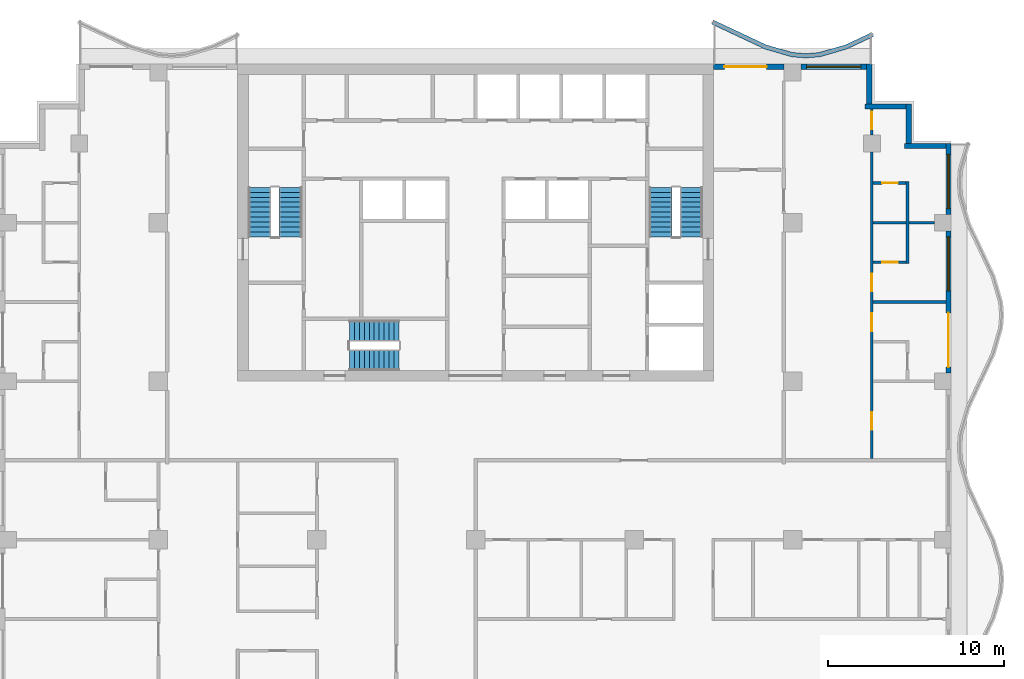
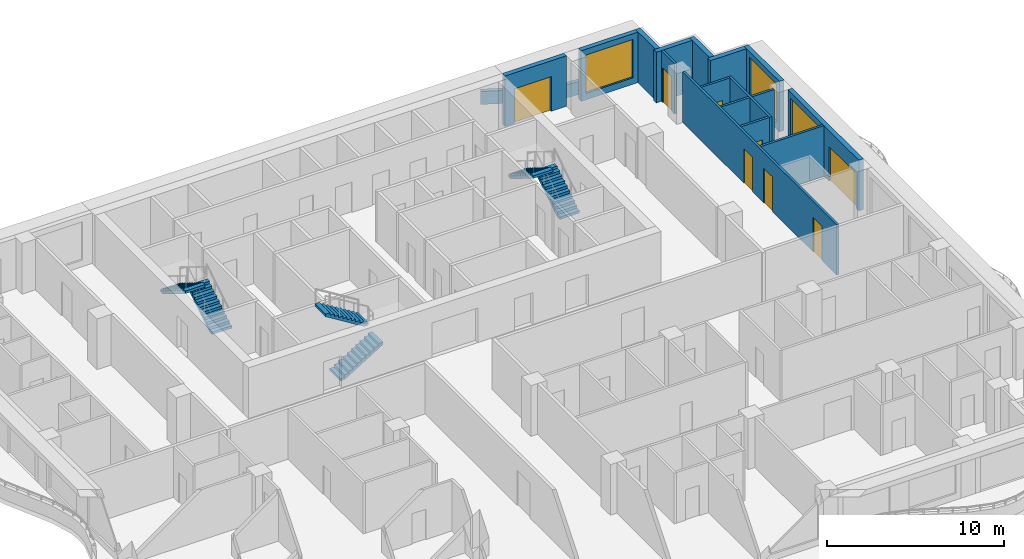
# One storey, part 7 of 11: 17 walls, 8 doors, 6 stair flights, 3 windows, 11 openings, 3 elements without a shape of their own.
"""IFC4 building model written with IfcOpenShell, lengths in metres."""

from ifc_helpers import new_model, si_unit, direction, frame, frame_2d, origin, place, context, subcontext, project, spatial, polyline, rectangle, outline, extrude, material, layer, layer_set, type_object, element, fill, aggregate, save


model = new_model("IFC4")

# Units and contexts
model_context = context("Model", 3, precision=1e-05, world=origin(), true_north=direction((0.0, 1.0)))
body_context = subcontext(model_context, "Body", "Model", "MODEL_VIEW")
ifc_project = project(units=[si_unit("LENGTHUNIT", "METRE"), si_unit("AREAUNIT", "SQUARE_METRE"), si_unit("VOLUMEUNIT", "CUBIC_METRE"), si_unit("PLANEANGLEUNIT", "RADIAN"), si_unit("MASSUNIT", "GRAM", prefix="KILO")], contexts=[model_context])

# Site, building, storey
site_placement = place(None, origin())
site = spatial("IfcSite", under=ifc_project, at=site_placement, CompositionType="ELEMENT")
building_placement = place(site_placement, origin())
building = spatial("IfcBuilding", under=site, at=building_placement, Name="Orbiselva Terraces", CompositionType="ELEMENT")
storey_placement = place(building_placement, frame((0.0, 0.0, 226.2)))
storey = spatial("IfcBuildingStorey", under=building, at=storey_placement, Name="L57", CompositionType="ELEMENT", Elevation=226.2)

# Wall
ifc_material_1 = material(Name="Concrete C40/50", Category="concrete")
ifc_layer_1 = layer(ifc_material_1, 0.25)
ifc_layer_set_1 = layer_set([ifc_layer_1], Name="Concrete C40/50")
wall_type_1 = type_object("IfcWallType", Name="ENV-PLANTER-250x900", PredefinedType="USERDEFINED", material=ifc_layer_set_1)
wall_1_placement = place(storey_placement, origin())
element("IfcWall", 1, at=wall_1_placement, inside=storey, type_object=wall_type_1, Name="Balcony planter L57 NE", ObjectType="PLANTER", PredefinedType="USERDEFINED", context=body_context, shape_type="SweptSolid", body=[
    extrude(outline(polyline([(22.5, 24.3), (21.0, 23.594658), (19.5, 23.158732), (18.75, 23.1), (18.0, 23.158732), (16.5, 23.594658), (15.0, 24.3), (13.5, 25.005342), (13.393617, 24.779106), (14.893617, 24.073764), (16.411382, 23.360069), (17.954886, 22.911499), (18.75, 22.849235), (19.545114, 22.911499), (21.088618, 23.360069), (22.606383, 24.073764), (22.5, 24.3)])), origin(), (0.0, 0.0, 1.0), 0.9),
])

# Wall, openings, door, window
ifc_material_2 = material(Name="Terracotta cladding on masonry backing", Category="masonry")
ifc_layer_2 = layer(ifc_material_2, 0.3)
ifc_layer_set_2 = layer_set([ifc_layer_2], Name="Terracotta cladding on masonry backing")
wall_type_2 = type_object("IfcWallType", Name="ENV-WALL-TERRACOTTA-300", PredefinedType="SOLIDWALL", material=ifc_layer_set_2)
wall_2_placement = place(storey_placement, frame((26.85, 13.025, 0.0), z_axis=(0.0, 0.0, 1.0), x_axis=(0.0, -1.0, 0.0)))
wall_2 = element("IfcWall", 2, at=wall_2_placement, inside=storey, type_object=wall_type_2, Name="Facade wall L57 E", PredefinedType="SOLIDWALL", context=body_context, shape_type="SweptSolid", body=[
    extrude(rectangle(XDim=8.05, YDim=0.3, at=frame_2d((4.025, 0.0))), origin(), (0.0, 0.0, 1.0), 3.5),
])
opening_1_placement = place(wall_2_placement, frame((4.65, 0.0, 0.0)))
opening_1 = element("IfcOpeningElement", 3, at=opening_1_placement, cuts=wall_2, Name="Opening Z4-E-E05", PredefinedType="OPENING", context=body_context, shape_type="SweptSolid", body=[
    extrude(rectangle(XDim=3.075, YDim=2.4, at=frame_2d((1.5375, 1.2))), frame((0.0, 0.16, 0.0), z_axis=(0.0, -1.0, 0.0), x_axis=(1.0, 0.0, 0.0)), (0.0, 0.0, 1.0), 0.32),
])
opening_2_placement = place(wall_2_placement, frame((0.325, 0.0, 0.45)))
opening_2 = element("IfcOpeningElement", 4, at=opening_2_placement, cuts=wall_2, Name="Opening WN15", PredefinedType="OPENING", context=body_context, shape_type="SweptSolid", body=[
    extrude(rectangle(XDim=3.075, YDim=2.65, at=frame_2d((1.5375, 1.325))), frame((0.0, 0.16, 0.0), z_axis=(0.0, -1.0, 0.0), x_axis=(1.0, 0.0, 0.0)), (0.0, 0.0, 1.0), 0.32),
])
ifc_material_3 = material(Name="Clear low-e glazing in aluminium frame", Category="aluminium")
door_type_1 = type_object("IfcDoorType", Name="BALCONY DOOR 3075 X 2400", OperationType="DOUBLE_DOOR_SLIDING", PredefinedType="DOOR", material=ifc_material_3)
door_1_placement = place(opening_1_placement, origin())
door_1 = element("IfcDoor", 5, at=door_1_placement, inside=storey, type_object=door_type_1, Name="Z4-E-E05", OperationType="SINGLE_SWING_LEFT", OverallHeight=2.4, OverallWidth=3.075, PredefinedType="DOOR", context=body_context, shape_type="SweptSolid", body=[
    extrude(rectangle(XDim=3.075, YDim=2.4, at=frame_2d((1.5375, 1.2))), frame((0.0, 0.025, 0.0), z_axis=(0.0, -1.0, 0.0), x_axis=(1.0, 0.0, 0.0)), (0.0, 0.0, 1.0), 0.05),
])
fill(opening_1, door_1)
window_type = type_object("IfcWindowType", Name="WINDOW 3075 X 2650 S450", PartitioningType="TRIPLE_PANEL_VERTICAL", PredefinedType="WINDOW", material=ifc_material_3)
window_1_placement = place(opening_2_placement, origin())
window_1 = element("IfcWindow", 6, at=window_1_placement, inside=storey, type_object=window_type, Name="Window L57 E", OverallHeight=2.65, OverallWidth=3.075, PartitioningType="SINGLE_PANEL", PredefinedType="WINDOW", context=body_context, shape_type="SweptSolid", body=[
    extrude(rectangle(XDim=3.075, YDim=2.65, at=frame_2d((1.5375, 1.325))), frame((0.0, 0.03, 0.0), z_axis=(0.0, -1.0, 0.0), x_axis=(1.0, 0.0, 0.0)), (0.0, 0.0, 1.0), 0.06),
])
fill(opening_2, window_1)

# Wall, opening, window
wall_3_placement = place(storey_placement, frame((26.85, 18.0, 0.0), z_axis=(0.0, 0.0, 1.0), x_axis=(0.0, -1.0, 0.0)))
wall_3 = element("IfcWall", 7, at=wall_3_placement, inside=storey, type_object=wall_type_2, Name="Facade wall L57 E", PredefinedType="SOLIDWALL", context=body_context, shape_type="SweptSolid", body=[
    extrude(rectangle(XDim=4.025, YDim=0.3, at=frame_2d((2.0125, 0.0))), origin(), (0.0, 0.0, 1.0), 3.5),
])
opening_3_placement = place(wall_3_placement, frame((0.625, 0.0, 0.45)))
opening_3 = element("IfcOpeningElement", 8, at=opening_3_placement, cuts=wall_3, Name="Opening WN15", PredefinedType="OPENING", context=body_context, shape_type="SweptSolid", body=[
    extrude(rectangle(XDim=3.075, YDim=2.65, at=frame_2d((1.5375, 1.325))), frame((0.0, 0.16, 0.0), z_axis=(0.0, -1.0, 0.0), x_axis=(1.0, 0.0, 0.0)), (0.0, 0.0, 1.0), 0.32),
])
window_2_placement = place(opening_3_placement, origin())
window_2 = element("IfcWindow", 9, at=window_2_placement, inside=storey, type_object=window_type, Name="Window L57 E", OverallHeight=2.65, OverallWidth=3.075, PartitioningType="SINGLE_PANEL", PredefinedType="WINDOW", context=body_context, shape_type="SweptSolid", body=[
    extrude(rectangle(XDim=3.075, YDim=2.65, at=frame_2d((1.5375, 1.325))), frame((0.0, 0.03, 0.0), z_axis=(0.0, -1.0, 0.0), x_axis=(1.0, 0.0, 0.0)), (0.0, 0.0, 1.0), 0.06),
])
fill(opening_3, window_2)

# Walls
wall_4_placement = place(storey_placement, frame((24.35, 17.85, 0.0), z_axis=(0.0, 0.0, 1.0), x_axis=(1.0, 0.0, 0.0)))
element("IfcWall", 10, at=wall_4_placement, inside=storey, type_object=wall_type_2, Name="Facade wall L57 STEP", PredefinedType="SOLIDWALL", context=body_context, shape_type="SweptSolid", body=[
    extrude(rectangle(XDim=2.35, YDim=0.3, at=frame_2d((1.175, 0.0))), origin(), (0.0, 0.0, 1.0), 3.5),
])
wall_5_placement = place(storey_placement, frame((24.6, 20.25, 0.0), z_axis=(0.0, 0.0, 1.0), x_axis=(0.0, -1.0, 0.0)))
element("IfcWall", 11, at=wall_5_placement, inside=storey, type_object=wall_type_2, Name="Facade wall L57 STEP", PredefinedType="SOLIDWALL", context=body_context, shape_type="SweptSolid", body=[
    extrude(rectangle(XDim=2.25, YDim=0.3, at=frame_2d((1.125, 0.0))), origin(), (0.0, 0.0, 1.0), 3.5),
])
wall_6_placement = place(storey_placement, frame((22.1, 20.1, 0.0), z_axis=(0.0, 0.0, 1.0), x_axis=(1.0, 0.0, 0.0)))
element("IfcWall", 12, at=wall_6_placement, inside=storey, type_object=wall_type_2, Name="Facade wall L57 STEP", PredefinedType="SOLIDWALL", context=body_context, shape_type="SweptSolid", body=[
    extrude(rectangle(XDim=2.35, YDim=0.3, at=frame_2d((1.175, 0.0))), origin(), (0.0, 0.0, 1.0), 3.5),
])
wall_7_placement = place(storey_placement, frame((22.35, 22.5, 0.0), z_axis=(0.0, 0.0, 1.0), x_axis=(0.0, -1.0, 0.0)))
element("IfcWall", 13, at=wall_7_placement, inside=storey, type_object=wall_type_2, Name="Facade wall L57 STEP", PredefinedType="SOLIDWALL", context=body_context, shape_type="SweptSolid", body=[
    extrude(rectangle(XDim=2.25, YDim=0.3, at=frame_2d((1.125, 0.0))), origin(), (0.0, 0.0, 1.0), 3.5),
])

# Wall, opening, window
wall_8_placement = place(storey_placement, frame((18.475, 22.35, 0.0), z_axis=(0.0, 0.0, 1.0), x_axis=(1.0, 0.0, 0.0)))
wall_8 = element("IfcWall", 14, at=wall_8_placement, inside=storey, type_object=wall_type_2, Name="Facade wall L57 NE", PredefinedType="SOLIDWALL", context=body_context, shape_type="SweptSolid", body=[
    extrude(rectangle(XDim=3.725, YDim=0.3, at=frame_2d((1.8625, 0.0))), origin(), (0.0, 0.0, 1.0), 3.5),
])
opening_4_placement = place(wall_8_placement, frame((0.325, 0.0, 0.45)))
opening_4 = element("IfcOpeningElement", 15, at=opening_4_placement, cuts=wall_8, Name="Opening WN15", PredefinedType="OPENING", context=body_context, shape_type="SweptSolid", body=[
    extrude(rectangle(XDim=3.075, YDim=2.65, at=frame_2d((1.5375, 1.325))), frame((0.0, 0.16, 0.0), z_axis=(0.0, -1.0, 0.0), x_axis=(1.0, 0.0, 0.0)), (0.0, 0.0, 1.0), 0.32),
])
window_3_placement = place(opening_4_placement, origin())
window_3 = element("IfcWindow", 16, at=window_3_placement, inside=storey, type_object=window_type, Name="Window L57 NE", OverallHeight=2.65, OverallWidth=3.075, PartitioningType="SINGLE_PANEL", PredefinedType="WINDOW", context=body_context, shape_type="SweptSolid", body=[
    extrude(rectangle(XDim=3.075, YDim=2.65, at=frame_2d((1.5375, 1.325))), frame((0.0, 0.03, 0.0), z_axis=(0.0, -1.0, 0.0), x_axis=(1.0, 0.0, 0.0)), (0.0, 0.0, 1.0), 0.06),
])
fill(opening_4, window_3)

# Wall, opening, door
wall_9_placement = place(storey_placement, frame((13.5, 22.35, 0.0), z_axis=(0.0, 0.0, 1.0), x_axis=(1.0, 0.0, 0.0)))
wall_9 = element("IfcWall", 17, at=wall_9_placement, inside=storey, type_object=wall_type_2, Name="Facade wall L57 NE", PredefinedType="SOLIDWALL", context=body_context, shape_type="SweptSolid", body=[
    extrude(rectangle(XDim=4.025, YDim=0.3, at=frame_2d((2.0125, 0.0))), origin(), (0.0, 0.0, 1.0), 3.5),
])
opening_5_placement = place(wall_9_placement, frame((0.625, 0.0, 0.0)))
opening_5 = element("IfcOpeningElement", 18, at=opening_5_placement, cuts=wall_9, Name="Opening Z4-E-E06", PredefinedType="OPENING", context=body_context, shape_type="SweptSolid", body=[
    extrude(rectangle(XDim=2.4, YDim=2.4, at=frame_2d((1.2, 1.2))), frame((0.0, 0.16, 0.0), z_axis=(0.0, -1.0, 0.0), x_axis=(1.0, 0.0, 0.0)), (0.0, 0.0, 1.0), 0.32),
])
door_type_2 = type_object("IfcDoorType", Name="BALCONY DOOR 2400 X 2400", OperationType="DOUBLE_DOOR_SLIDING", PredefinedType="DOOR", material=ifc_material_3)
door_2_placement = place(opening_5_placement, origin())
door_2 = element("IfcDoor", 19, at=door_2_placement, inside=storey, type_object=door_type_2, Name="Z4-E-E06", OperationType="SINGLE_SWING_LEFT", OverallHeight=2.4, OverallWidth=2.4, PredefinedType="DOOR", context=body_context, shape_type="SweptSolid", body=[
    extrude(rectangle(XDim=2.4, YDim=2.4, at=frame_2d((1.2, 1.2))), frame((0.0, 0.025, 0.0), z_axis=(0.0, -1.0, 0.0), x_axis=(1.0, 0.0, 0.0)), (0.0, 0.0, 1.0), 0.05),
])
fill(opening_5, door_2)

# Wall
ifc_material_4 = material(Name="Plasterboard on steel stud partition", Category="steel")
ifc_layer_3 = layer(ifc_material_4, 0.15)
ifc_layer_set_3 = layer_set([ifc_layer_3], Name="Plasterboard on steel stud partition")
wall_type_3 = type_object("IfcWallType", Name="UNIT-PARTITION-150", PredefinedType="PARTITIONING", material=ifc_layer_set_3)
wall_10_placement = place(storey_placement, frame((22.575, 9.0, 0.0), z_axis=(0.0, 0.0, 1.0), x_axis=(1.0, 0.0, 0.0)))
element("IfcWall", 20, at=wall_10_placement, inside=storey, type_object=wall_type_3, Name="PARTITION L57-037", PredefinedType="PARTITIONING", context=body_context, shape_type="SweptSolid", body=[
    extrude(rectangle(XDim=4.125, YDim=0.15, at=frame_2d((2.0625, 0.0))), origin(), (0.0, 0.0, 1.0), 3.5),
])

# Wall, opening, door
wall_11_placement = place(storey_placement, frame((22.575, 11.25, 0.0), z_axis=(0.0, 0.0, 1.0), x_axis=(1.0, 0.0, 0.0)))
wall_11 = element("IfcWall", 21, at=wall_11_placement, inside=storey, type_object=wall_type_3, Name="PARTITION L57-039", PredefinedType="PARTITIONING", context=body_context, shape_type="SweptSolid", body=[
    extrude(rectangle(XDim=1.875, YDim=0.15, at=frame_2d((0.9375, 0.0))), origin(), (0.0, 0.0, 1.0), 3.5),
])
opening_6_placement = place(wall_11_placement, frame((0.5, 0.0, 0.0)))
opening_6 = element("IfcOpeningElement", 22, at=opening_6_placement, cuts=wall_11, Name="Opening Z4-E-15", PredefinedType="OPENING", context=body_context, shape_type="SweptSolid", body=[
    extrude(rectangle(XDim=0.9, YDim=2.1, at=frame_2d((0.45, 1.05))), frame((0.0, 0.085, 0.0), z_axis=(0.0, -1.0, 0.0), x_axis=(1.0, 0.0, 0.0)), (0.0, 0.0, 1.0), 0.17),
])
ifc_material_5 = material(Name="Painted timber door leaf", Category="wood")
door_type_3 = type_object("IfcDoorType", Name="BATH DOOR 900", OperationType="NOTDEFINED", PredefinedType="DOOR", material=ifc_material_5)
door_3_placement = place(opening_6_placement, origin())
door_3 = element("IfcDoor", 23, at=door_3_placement, inside=storey, type_object=door_type_3, Name="Z4-E-15", OperationType="SINGLE_SWING_RIGHT", OverallHeight=2.1, OverallWidth=0.9, PredefinedType="DOOR", context=body_context, shape_type="SweptSolid", body=[
    extrude(rectangle(XDim=0.9, YDim=2.1, at=frame_2d((0.45, 1.05))), frame((0.0, 0.025, 0.0), z_axis=(0.0, -1.0, 0.0), x_axis=(1.0, 0.0, 0.0)), (0.0, 0.0, 1.0), 0.05),
])
fill(opening_6, door_3)

# Walls
wall_12_placement = place(storey_placement, frame((22.575, 13.5, 0.0), z_axis=(0.0, 0.0, 1.0), x_axis=(1.0, 0.0, 0.0)))
element("IfcWall", 24, at=wall_12_placement, inside=storey, type_object=wall_type_3, Name="PARTITION L57-042", PredefinedType="PARTITIONING", context=body_context, shape_type="SweptSolid", body=[
    extrude(rectangle(XDim=1.875, YDim=0.15, at=frame_2d((0.9375, 0.0))), origin(), (0.0, 0.0, 1.0), 3.5),
])
wall_13_placement = place(storey_placement, frame((24.6, 13.5, 0.0), z_axis=(0.0, 0.0, 1.0), x_axis=(1.0, 0.0, 0.0)))
element("IfcWall", 25, at=wall_13_placement, inside=storey, type_object=wall_type_3, Name="PARTITION L57-043", PredefinedType="PARTITIONING", context=body_context, shape_type="SweptSolid", body=[
    extrude(rectangle(XDim=1.45, YDim=0.15, at=frame_2d((0.725, 0.0))), origin(), (0.0, 0.0, 1.0), 3.5),
])

# Wall, opening, door
wall_14_placement = place(storey_placement, frame((24.45, 15.75, 0.0), z_axis=(0.0, 0.0, 1.0), x_axis=(-1.0, 0.0, 0.0)))
wall_14 = element("IfcWall", 26, at=wall_14_placement, inside=storey, type_object=wall_type_3, Name="PARTITION L57-045", PredefinedType="PARTITIONING", context=body_context, shape_type="SweptSolid", body=[
    extrude(rectangle(XDim=1.875, YDim=0.15, at=frame_2d((0.9375, 0.0))), origin(), (0.0, 0.0, 1.0), 3.5),
])
opening_7_placement = place(wall_14_placement, frame((0.475, 0.0, 0.0)))
opening_7 = element("IfcOpeningElement", 27, at=opening_7_placement, cuts=wall_14, Name="Opening Z4-E-17", PredefinedType="OPENING", context=body_context, shape_type="SweptSolid", body=[
    extrude(rectangle(XDim=0.9, YDim=2.1, at=frame_2d((0.45, 1.05))), frame((0.0, 0.085, 0.0), z_axis=(0.0, -1.0, 0.0), x_axis=(1.0, 0.0, 0.0)), (0.0, 0.0, 1.0), 0.17),
])
door_4_placement = place(opening_7_placement, origin())
door_4 = element("IfcDoor", 28, at=door_4_placement, inside=storey, type_object=door_type_3, Name="Z4-E-17", OperationType="SINGLE_SWING_LEFT", OverallHeight=2.1, OverallWidth=0.9, PredefinedType="DOOR", context=body_context, shape_type="SweptSolid", body=[
    extrude(rectangle(XDim=0.9, YDim=2.1, at=frame_2d((0.45, 1.05))), frame((0.0, 0.025, 0.0), z_axis=(0.0, -1.0, 0.0), x_axis=(1.0, 0.0, 0.0)), (0.0, 0.0, 1.0), 0.05),
])
fill(opening_7, door_4)

# Wall, openings, doors
wall_15_placement = place(storey_placement, frame((22.5, 17.525, 0.0), z_axis=(0.0, 0.0, 1.0), x_axis=(0.0, -1.0, 0.0)))
wall_15 = element("IfcWall", 29, at=wall_15_placement, inside=storey, type_object=wall_type_3, Name="PARTITION L57-090", PredefinedType="PARTITIONING", context=body_context, shape_type="SweptSolid", body=[
    extrude(rectangle(XDim=17.425, YDim=0.15, at=frame_2d((8.7125, 0.0))), origin(), (0.0, 0.0, 1.0), 3.5),
])
opening_8_placement = place(wall_15_placement, frame((14.775, 0.0, 0.0)))
opening_8 = element("IfcOpeningElement", 30, at=opening_8_placement, cuts=wall_15, Name="Opening Z4-E-11", PredefinedType="OPENING", context=body_context, shape_type="SweptSolid", body=[
    extrude(rectangle(XDim=1.0, YDim=2.4, at=frame_2d((0.5, 1.2))), frame((0.0, 0.085, 0.0), z_axis=(0.0, -1.0, 0.0), x_axis=(1.0, 0.0, 0.0)), (0.0, 0.0, 1.0), 0.17),
])
opening_9_placement = place(wall_15_placement, frame((9.175, 0.0, 0.0)))
opening_9 = element("IfcOpeningElement", 31, at=opening_9_placement, cuts=wall_15, Name="Opening Z4-E-12", PredefinedType="OPENING", context=body_context, shape_type="SweptSolid", body=[
    extrude(rectangle(XDim=1.0, YDim=2.4, at=frame_2d((0.5, 1.2))), frame((0.0, 0.085, 0.0), z_axis=(0.0, -1.0, 0.0), x_axis=(1.0, 0.0, 0.0)), (0.0, 0.0, 1.0), 0.17),
])
opening_10_placement = place(wall_15_placement, frame((6.925, 0.0, 0.0)))
opening_10 = element("IfcOpeningElement", 32, at=opening_10_placement, cuts=wall_15, Name="Opening Z4-E-14", PredefinedType="OPENING", context=body_context, shape_type="SweptSolid", body=[
    extrude(rectangle(XDim=1.0, YDim=2.4, at=frame_2d((0.5, 1.2))), frame((0.0, 0.085, 0.0), z_axis=(0.0, -1.0, 0.0), x_axis=(1.0, 0.0, 0.0)), (0.0, 0.0, 1.0), 0.17),
])
door_type_4 = type_object("IfcDoorType", Name="ROOM DOOR 1000", OperationType="NOTDEFINED", PredefinedType="DOOR", material=ifc_material_5)
door_5_placement = place(opening_8_placement, origin())
door_5 = element("IfcDoor", 33, at=door_5_placement, inside=storey, type_object=door_type_4, Name="Z4-E-11", OperationType="SINGLE_SWING_RIGHT", OverallHeight=2.4, OverallWidth=1.0, PredefinedType="DOOR", context=body_context, shape_type="SweptSolid", body=[
    extrude(rectangle(XDim=1.0, YDim=2.4, at=frame_2d((0.5, 1.2))), frame((0.0, 0.025, 0.0), z_axis=(0.0, -1.0, 0.0), x_axis=(1.0, 0.0, 0.0)), (0.0, 0.0, 1.0), 0.05),
])
fill(opening_8, door_5)
door_6_placement = place(opening_9_placement, origin())
door_6 = element("IfcDoor", 34, at=door_6_placement, inside=storey, type_object=door_type_4, Name="Z4-E-12", OperationType="SINGLE_SWING_RIGHT", OverallHeight=2.4, OverallWidth=1.0, PredefinedType="DOOR", context=body_context, shape_type="SweptSolid", body=[
    extrude(rectangle(XDim=1.0, YDim=2.4, at=frame_2d((0.5, 1.2))), frame((0.0, 0.025, 0.0), z_axis=(0.0, -1.0, 0.0), x_axis=(1.0, 0.0, 0.0)), (0.0, 0.0, 1.0), 0.05),
])
fill(opening_9, door_6)
door_7_placement = place(opening_10_placement, origin())
door_7 = element("IfcDoor", 35, at=door_7_placement, inside=storey, type_object=door_type_4, Name="Z4-E-14", OperationType="SINGLE_SWING_LEFT", OverallHeight=2.4, OverallWidth=1.0, PredefinedType="DOOR", context=body_context, shape_type="SweptSolid", body=[
    extrude(rectangle(XDim=1.0, YDim=2.4, at=frame_2d((0.5, 1.2))), frame((0.0, 0.025, 0.0), z_axis=(0.0, -1.0, 0.0), x_axis=(1.0, 0.0, 0.0)), (0.0, 0.0, 1.0), 0.05),
])
fill(opening_10, door_7)

# Wall, opening, door
wall_16_placement = place(storey_placement, frame((22.5, 19.95, 0.0), z_axis=(0.0, 0.0, 1.0), x_axis=(0.0, -1.0, 0.0)))
wall_16 = element("IfcWall", 36, at=wall_16_placement, inside=storey, type_object=wall_type_3, Name="PARTITION L57-091", PredefinedType="PARTITIONING", context=body_context, shape_type="SweptSolid", body=[
    extrude(rectangle(XDim=1.475, YDim=0.15, at=frame_2d((0.7375, 0.0))), origin(), (0.0, 0.0, 1.0), 3.5),
])
opening_11_placement = place(wall_16_placement, frame((0.15, 0.0, 0.0)))
opening_11 = element("IfcOpeningElement", 37, at=opening_11_placement, cuts=wall_16, Name="Opening Z4-E-16", PredefinedType="OPENING", context=body_context, shape_type="SweptSolid", body=[
    extrude(rectangle(XDim=1.0, YDim=2.4, at=frame_2d((0.5, 1.2))), frame((0.0, 0.085, 0.0), z_axis=(0.0, -1.0, 0.0), x_axis=(1.0, 0.0, 0.0)), (0.0, 0.0, 1.0), 0.17),
])
door_8_placement = place(opening_11_placement, origin())
door_8 = element("IfcDoor", 38, at=door_8_placement, inside=storey, type_object=door_type_4, Name="Z4-E-16", OperationType="SINGLE_SWING_LEFT", OverallHeight=2.4, OverallWidth=1.0, PredefinedType="DOOR", context=body_context, shape_type="SweptSolid", body=[
    extrude(rectangle(XDim=1.0, YDim=2.4, at=frame_2d((0.5, 1.2))), frame((0.0, 0.025, 0.0), z_axis=(0.0, -1.0, 0.0), x_axis=(1.0, 0.0, 0.0)), (0.0, 0.0, 1.0), 0.05),
])
fill(opening_11, door_8)

# Wall
wall_17_placement = place(storey_placement, frame((24.525, 11.175, 0.0), z_axis=(0.0, 0.0, 1.0), x_axis=(0.0, 1.0, 0.0)))
element("IfcWall", 39, at=wall_17_placement, inside=storey, type_object=wall_type_3, Name="PARTITION L57-094", PredefinedType="PARTITIONING", context=body_context, shape_type="SweptSolid", body=[
    extrude(rectangle(XDim=4.65, YDim=0.15, at=frame_2d((2.325, 0.0))), origin(), (0.0, 0.0, 1.0), 3.5),
])

# Stair, stair flights
stair_type_1 = type_object("IfcStairType", Name="CORE-STAIR-1200", PredefinedType="HALF_TURN_STAIR", material=ifc_material_1)
stair_1_placement = place(storey_placement, origin())
stair_1 = element("IfcStair", 40, at=stair_1_placement, inside=storey, type_object=stair_type_1, Name="L57 Exit Stair S3", PredefinedType="HALF_TURN_STAIR")
stair_flight_type_1 = type_object("IfcStairFlightType", Name="CORE-STAIR-FLIGHT-1200", PredefinedType="STRAIGHT", material=ifc_material_1)
stair_flight_1_placement = place(storey_placement, frame((-7.15, 5.7, 0.0), z_axis=(0.0, 0.0, 1.0), x_axis=(1.0, 0.0, 0.0)))
stair_flight_1 = element("IfcStairFlight", 41, at=stair_flight_1_placement, type_object=stair_flight_type_1, Name="S3 flight 1", NumberOfRisers=11, NumberOfTreads=10, PredefinedType="STRAIGHT", RiserHeight=0.172727273, TreadLength=0.28, context=body_context, shape_type="SweptSolid", body=[
    extrude(outline(polyline([(0.0, 0.0), (0.0, 0.172727), (0.28, 0.172727), (0.28, 0.345455), (0.56, 0.345455), (0.56, 0.518182), (0.84, 0.518182), (0.84, 0.690909), (1.12, 0.690909), (1.12, 0.863636), (1.4, 0.863636), (1.4, 1.036364), (1.68, 1.036364), (1.68, 1.209091), (1.96, 1.209091), (1.96, 1.381818), (2.24, 1.381818), (2.24, 1.554545), (2.52, 1.554545), (2.52, 1.727273), (2.8, 1.727273), (2.8, 1.9), (2.8, 1.551028), (0.285702, 0.0), (0.0, 0.0)])), frame((0.0, 0.6, 0.0), z_axis=(0.0, -1.0, 0.0), x_axis=(1.0, 0.0, 0.0)), (0.0, 0.0, 1.0), 1.2),
])
stair_flight_2_placement = place(storey_placement, frame((-4.35, 7.35, 1.9), z_axis=(0.0, 0.0, 1.0), x_axis=(-1.0, 0.0, 0.0)))
stair_flight_2 = element("IfcStairFlight", 42, at=stair_flight_2_placement, type_object=stair_flight_type_1, Name="S3 flight 2", NumberOfRisers=11, NumberOfTreads=10, PredefinedType="STRAIGHT", RiserHeight=0.172727273, TreadLength=0.28, context=body_context, shape_type="SweptSolid", body=[
    extrude(outline(polyline([(0.0, 0.0), (0.0, 0.172727), (0.28, 0.172727), (0.28, 0.345455), (0.56, 0.345455), (0.56, 0.518182), (0.84, 0.518182), (0.84, 0.690909), (1.12, 0.690909), (1.12, 0.863636), (1.4, 0.863636), (1.4, 1.036364), (1.68, 1.036364), (1.68, 1.209091), (1.96, 1.209091), (1.96, 1.381818), (2.24, 1.381818), (2.24, 1.554545), (2.52, 1.554545), (2.52, 1.727273), (2.8, 1.727273), (2.8, 1.9), (2.8, 1.551028), (0.285702, 0.0), (0.0, 0.0)])), frame((0.0, 0.6, 0.0), z_axis=(0.0, -1.0, 0.0), x_axis=(1.0, 0.0, 0.0)), (0.0, 0.0, 1.0), 1.2),
])
aggregate(stair_1, [stair_flight_1, stair_flight_2])

stair_type_2 = type_object("IfcStairType", Name="CORE-STAIR-1300", PredefinedType="HALF_TURN_STAIR", material=ifc_material_1)
stair_2_placement = place(storey_placement, origin())
stair_2 = element("IfcStair", 43, at=stair_2_placement, inside=storey, type_object=stair_type_2, Name="L57 Exit Stair S1", PredefinedType="HALF_TURN_STAIR")
stair_flight_type_2 = type_object("IfcStairFlightType", Name="CORE-STAIR-FLIGHT-1300", PredefinedType="STRAIGHT", material=ifc_material_1)
stair_flight_3_placement = place(storey_placement, frame((-10.5, 12.7, 0.0), z_axis=(0.0, 0.0, 1.0), x_axis=(0.0, 1.0, 0.0)))
stair_flight_3 = element("IfcStairFlight", 44, at=stair_flight_3_placement, type_object=stair_flight_type_2, Name="S1 flight 1", NumberOfRisers=11, NumberOfTreads=10, PredefinedType="STRAIGHT", RiserHeight=0.172727273, TreadLength=0.28, context=body_context, shape_type="SweptSolid", body=[
    extrude(outline(polyline([(0.0, 0.0), (0.0, 0.172727), (0.28, 0.172727), (0.28, 0.345455), (0.56, 0.345455), (0.56, 0.518182), (0.84, 0.518182), (0.84, 0.690909), (1.12, 0.690909), (1.12, 0.863636), (1.4, 0.863636), (1.4, 1.036364), (1.68, 1.036364), (1.68, 1.209091), (1.96, 1.209091), (1.96, 1.381818), (2.24, 1.381818), (2.24, 1.554545), (2.52, 1.554545), (2.52, 1.727273), (2.8, 1.727273), (2.8, 1.9), (2.8, 1.551028), (0.285702, 0.0), (0.0, 0.0)])), frame((0.0, 0.65, 0.0), z_axis=(0.0, -1.0, 0.0), x_axis=(1.0, 0.0, 0.0)), (0.0, 0.0, 1.0), 1.3),
])
stair_flight_4_placement = place(storey_placement, frame((-12.25, 15.5, 1.9), z_axis=(0.0, 0.0, 1.0), x_axis=(0.0, -1.0, 0.0)))
stair_flight_4 = element("IfcStairFlight", 45, at=stair_flight_4_placement, type_object=stair_flight_type_2, Name="S1 flight 2", NumberOfRisers=11, NumberOfTreads=10, PredefinedType="STRAIGHT", RiserHeight=0.172727273, TreadLength=0.28, context=body_context, shape_type="SweptSolid", body=[
    extrude(outline(polyline([(0.0, 0.0), (0.0, 0.172727), (0.28, 0.172727), (0.28, 0.345455), (0.56, 0.345455), (0.56, 0.518182), (0.84, 0.518182), (0.84, 0.690909), (1.12, 0.690909), (1.12, 0.863636), (1.4, 0.863636), (1.4, 1.036364), (1.68, 1.036364), (1.68, 1.209091), (1.96, 1.209091), (1.96, 1.381818), (2.24, 1.381818), (2.24, 1.554545), (2.52, 1.554545), (2.52, 1.727273), (2.8, 1.727273), (2.8, 1.9), (2.8, 1.551028), (0.285702, 0.0), (0.0, 0.0)])), frame((0.0, 0.65, 0.0), z_axis=(0.0, -1.0, 0.0), x_axis=(1.0, 0.0, 0.0)), (0.0, 0.0, 1.0), 1.3),
])
aggregate(stair_2, [stair_flight_3, stair_flight_4])

stair_3_placement = place(storey_placement, origin())
stair_3 = element("IfcStair", 46, at=stair_3_placement, inside=storey, type_object=stair_type_2, Name="L57 Exit Stair S2", PredefinedType="HALF_TURN_STAIR")
stair_flight_5_placement = place(storey_placement, frame((12.25, 12.7, 0.0), z_axis=(0.0, 0.0, 1.0), x_axis=(0.0, 1.0, 0.0)))
stair_flight_5 = element("IfcStairFlight", 47, at=stair_flight_5_placement, type_object=stair_flight_type_2, Name="S2 flight 1", NumberOfRisers=11, NumberOfTreads=10, PredefinedType="STRAIGHT", RiserHeight=0.172727273, TreadLength=0.28, context=body_context, shape_type="SweptSolid", body=[
    extrude(outline(polyline([(0.0, 0.0), (0.0, 0.172727), (0.28, 0.172727), (0.28, 0.345455), (0.56, 0.345455), (0.56, 0.518182), (0.84, 0.518182), (0.84, 0.690909), (1.12, 0.690909), (1.12, 0.863636), (1.4, 0.863636), (1.4, 1.036364), (1.68, 1.036364), (1.68, 1.209091), (1.96, 1.209091), (1.96, 1.381818), (2.24, 1.381818), (2.24, 1.554545), (2.52, 1.554545), (2.52, 1.727273), (2.8, 1.727273), (2.8, 1.9), (2.8, 1.551028), (0.285702, 0.0), (0.0, 0.0)])), frame((0.0, 0.65, 0.0), z_axis=(0.0, -1.0, 0.0), x_axis=(1.0, 0.0, 0.0)), (0.0, 0.0, 1.0), 1.3),
])
stair_flight_6_placement = place(storey_placement, frame((10.5, 15.5, 1.9), z_axis=(0.0, 0.0, 1.0), x_axis=(0.0, -1.0, 0.0)))
stair_flight_6 = element("IfcStairFlight", 48, at=stair_flight_6_placement, type_object=stair_flight_type_2, Name="S2 flight 2", NumberOfRisers=11, NumberOfTreads=10, PredefinedType="STRAIGHT", RiserHeight=0.172727273, TreadLength=0.28, context=body_context, shape_type="SweptSolid", body=[
    extrude(outline(polyline([(0.0, 0.0), (0.0, 0.172727), (0.28, 0.172727), (0.28, 0.345455), (0.56, 0.345455), (0.56, 0.518182), (0.84, 0.518182), (0.84, 0.690909), (1.12, 0.690909), (1.12, 0.863636), (1.4, 0.863636), (1.4, 1.036364), (1.68, 1.036364), (1.68, 1.209091), (1.96, 1.209091), (1.96, 1.381818), (2.24, 1.381818), (2.24, 1.554545), (2.52, 1.554545), (2.52, 1.727273), (2.8, 1.727273), (2.8, 1.9), (2.8, 1.551028), (0.285702, 0.0), (0.0, 0.0)])), frame((0.0, 0.65, 0.0), z_axis=(0.0, -1.0, 0.0), x_axis=(1.0, 0.0, 0.0)), (0.0, 0.0, 1.0), 1.3),
])
aggregate(stair_3, [stair_flight_5, stair_flight_6])

save(model, "model.ifc")
